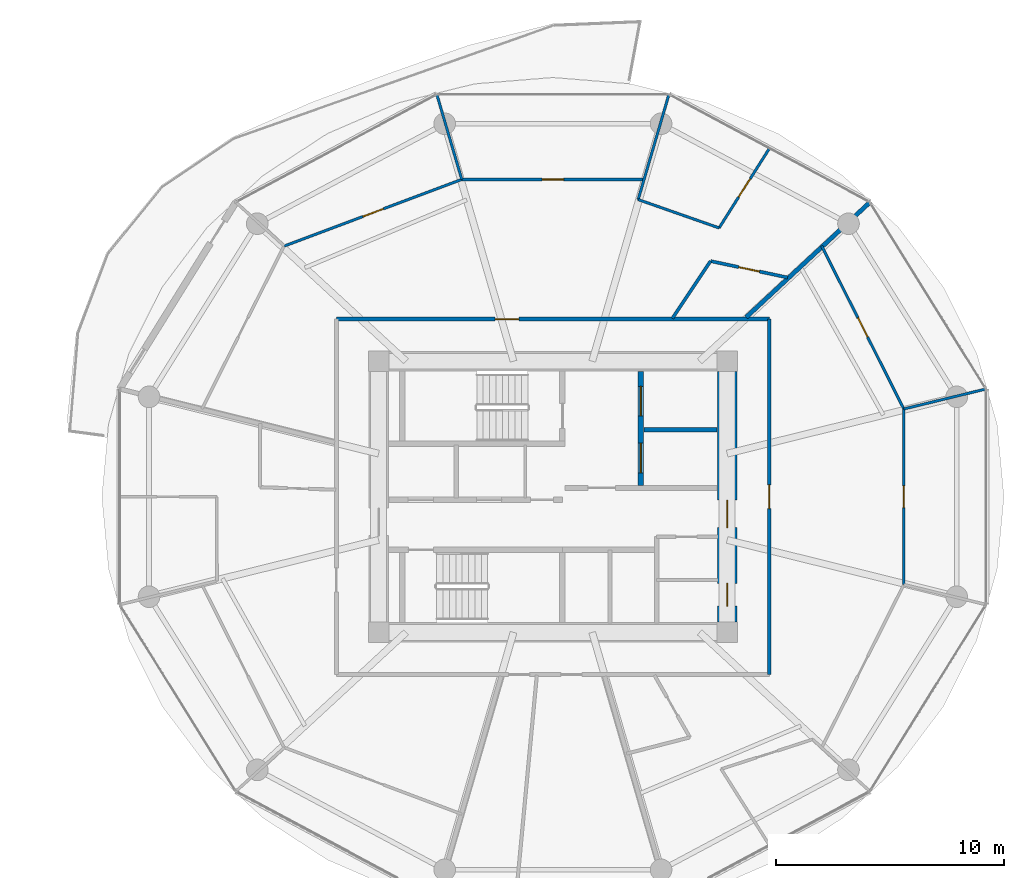
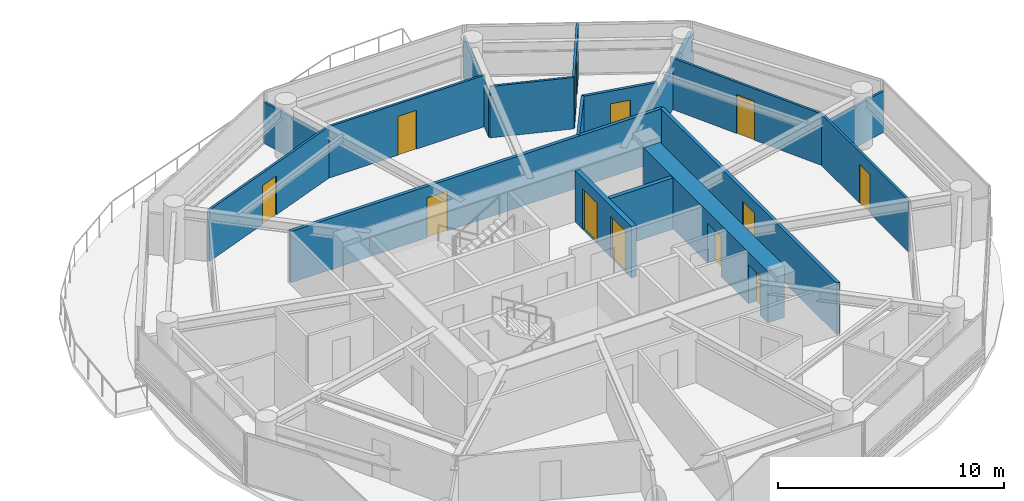
# One storey, part 20 of 27: 17 walls, 12 doors, 12 openings.
"""IFC4 building model written with IfcOpenShell, lengths in metres."""

from ifc_helpers import new_model, si_unit, direction, frame, frame_2d, origin, place, context, subcontext, project, spatial, rectangle, extrude, source, transform, mapped, material, layer, layer_set, type_object, type_shapes, element, fill, save


model = new_model("IFC4")

# Units and contexts
model_context = context("Model", 3, precision=1e-05, world=origin(), true_north=direction((0.0, 1.0)))
body_context = subcontext(model_context, "Body", "Model", "MODEL_VIEW")
ifc_project = project(units=[si_unit("LENGTHUNIT", "METRE"), si_unit("AREAUNIT", "SQUARE_METRE"), si_unit("VOLUMEUNIT", "CUBIC_METRE"), si_unit("PLANEANGLEUNIT", "RADIAN"), si_unit("MASSUNIT", "GRAM", prefix="KILO")], contexts=[model_context])

# Site, building, storey
site_placement = place(None, origin())
site = spatial("IfcSite", under=ifc_project, at=site_placement, CompositionType="ELEMENT")
building_placement = place(site_placement, origin())
building = spatial("IfcBuilding", under=site, at=building_placement, Name="Norrkilde Senior Care Towers", CompositionType="ELEMENT")
storey_placement = place(building_placement, frame((0.0, 0.0, 58.199951171875)))
storey = spatial("IfcBuildingStorey", under=building, at=storey_placement, Name="L17", CompositionType="ELEMENT", Elevation=58.199951171875)

# Wall, openings, doors
ifc_material_1 = material(Name="Concrete C60/75", Category="concrete")
ifc_layer_1 = layer(ifc_material_1, 0.85009765625)
ifc_layer_set_1 = layer_set([ifc_layer_1], Name="Concrete C60/75")
wall_type_1 = type_object("IfcWallType", Name="Core Shear Wall Z1 850", PredefinedType="SHEAR", material=ifc_layer_set_1)
shared_shape_1 = source(origin(), body_context, "Body", "SweptSolid", [
    extrude(rectangle(XDim=11.0, YDim=0.85009765625, at=frame_2d((5.5, 0.0))), origin(), (0.0, 0.0, 1.0), 2.7900390625),
])
type_shapes(wall_type_1, [shared_shape_1])
wall_1_placement = place(storey_placement, frame((35.64990234375, 5.5, 0.0), z_axis=(0.0, 0.0, 1.0), x_axis=(0.0, -1.0, 0.0)))
wall_1 = element("IfcWall", 1, at=wall_1_placement, inside=storey, type_object=wall_type_1, Name="L17 Core E East Shear Wall", PredefinedType="SHEAR", context=body_context, shape_type="MappedRepresentation", body=[
    mapped(shared_shape_1, transform((0.0, 0.0, 0.0), x_axis=(1.0, 0.0, 0.0), y_axis=(0.0, 1.0, 0.0), z_axis=(0.0, 0.0, 1.0), scale=1.0)),
])
opening_1_placement = place(wall_1_placement, frame((5.64990234375, 0.0, 0.0)))
opening_1 = element("IfcOpeningElement", 2, at=opening_1_placement, cuts=wall_1, Name="Opening D-04", PredefinedType="OPENING", context=body_context, shape_type="SweptSolid", body=[
    extrude(rectangle(XDim=1.199951171875, YDim=2.14990234375, at=frame_2d((0.60009765625, 1.074951171875))), frame((0.0, 0.43505859375, 0.0), z_axis=(0.0, -1.0, 0.0), x_axis=(1.0, 0.0, 0.0)), (0.0, 0.0, 1.0), 0.8701171875),
])
opening_2_placement = place(wall_1_placement, frame((9.300048828125, 0.0, 0.0)))
opening_2 = element("IfcOpeningElement", 3, at=opening_2_placement, cuts=wall_1, Name="Opening D-10", PredefinedType="OPENING", context=body_context, shape_type="SweptSolid", body=[
    extrude(rectangle(XDim=1.0, YDim=2.10009765625, at=frame_2d((0.5, 1.050048828125))), frame((0.0, 0.43505859375, 0.0), z_axis=(0.0, -1.0, 0.0), x_axis=(1.0, 0.0, 0.0)), (0.0, 0.0, 1.0), 0.8701171875),
])
ifc_material_2 = material(Name="Galvanised Painted Steel", Category="steel")
door_type_1 = type_object("IfcDoorType", Name="Firefighting Lobby Fire Door 1200x2150", OperationType="NOTDEFINED", PredefinedType="DOOR", material=ifc_material_2)
shared_shape_2 = source(origin(), body_context, "Body", "SweptSolid", [
    extrude(rectangle(XDim=1.199951171875, YDim=2.14990234375, at=frame_2d((0.60009765625, 1.074951171875))), frame((0.0, 0.02490234375, 0.0), z_axis=(0.0, -1.0, 0.0), x_axis=(1.0, 0.0, 0.0)), (0.0, 0.0, 1.0), 0.050048828125),
])
type_shapes(door_type_1, [shared_shape_2])
door_1_placement = place(opening_1_placement, frame((1.199951171875, 0.0, 0.0), z_axis=(0.0, 0.0, 1.0), x_axis=(-1.0, 0.0, 0.0)))
door_1 = element("IfcDoor", 4, at=door_1_placement, inside=storey, type_object=door_type_1, Name="L17 Core E East Portal Door", OperationType="SINGLE_SWING_RIGHT", OverallHeight=2.14990234375, OverallWidth=1.199951171875, PredefinedType="DOOR", context=body_context, shape_type="MappedRepresentation", body=[
    mapped(shared_shape_2, transform((0.0, 0.0, 0.0), x_axis=(1.0, 0.0, 0.0), y_axis=(0.0, 1.0, 0.0), z_axis=(0.0, 0.0, 1.0), scale=1.0)),
])
fill(opening_1, door_1)
door_type_2 = type_object("IfcDoorType", Name="Plant and Riser Rated Door 1000x2100", OperationType="NOTDEFINED", PredefinedType="DOOR", material=ifc_material_2)
shared_shape_3 = source(origin(), body_context, "Body", "SweptSolid", [
    extrude(rectangle(XDim=1.0, YDim=2.10009765625, at=frame_2d((0.5, 1.050048828125))), frame((0.0, 0.02490234375, 0.0), z_axis=(0.0, -1.0, 0.0), x_axis=(1.0, 0.0, 0.0)), (0.0, 0.0, 1.0), 0.050048828125),
])
type_shapes(door_type_2, [shared_shape_3])
door_2_placement = place(opening_2_placement, frame((1.0, 0.0, 0.0), z_axis=(0.0, 0.0, 1.0), x_axis=(-1.0, 0.0, 0.0)))
door_2 = element("IfcDoor", 5, at=door_2_placement, inside=storey, type_object=door_type_2, Name="L17 Ventilation Riser E Door", OperationType="SINGLE_SWING_RIGHT", OverallHeight=2.10009765625, OverallWidth=1.0, PredefinedType="DOOR", context=body_context, shape_type="MappedRepresentation", body=[
    mapped(shared_shape_3, transform((0.0, 0.0, 0.0), x_axis=(1.0, 0.0, 0.0), y_axis=(0.0, 1.0, 0.0), z_axis=(0.0, 0.0, 1.0), scale=1.0)),
])
fill(opening_2, door_2)

ifc_material_3 = material(Name="Concrete C45/55", Category="concrete")
ifc_layer_2 = layer(ifc_material_3, 0.239990234375)
ifc_layer_set_2 = layer_set([ifc_layer_2], Name="Concrete C45/55")
wall_type_2 = type_object("IfcWallType", Name="Lift and Plant Rated Enclosure Partition 240", PredefinedType="PARTITIONING", material=ifc_layer_set_2)
shared_shape_4 = source(origin(), body_context, "Body", "SweptSolid", [
    extrude(rectangle(XDim=5.0, YDim=0.239990234375, at=frame_2d((2.5, 0.0))), origin(), (0.0, 0.0, 1.0), 2.775146484375),
])
type_shapes(wall_type_2, [shared_shape_4])
wall_2_placement = place(storey_placement, frame((31.860107421875, 0.5, 0.0), z_axis=(0.0, 0.0, 1.0), x_axis=(0.0, 1.0, 0.0)))
wall_2 = element("IfcWall", 6, at=wall_2_placement, inside=storey, type_object=wall_type_2, Name="WL-INT-L17-E-FFLE", PredefinedType="PARTITIONING", context=body_context, shape_type="MappedRepresentation", body=[
    mapped(shared_shape_4, transform((0.0, 0.0, 0.0), x_axis=(1.0, 0.0, 0.0), y_axis=(0.0, 1.0, 0.0), z_axis=(0.0, 0.0, 1.0), scale=1.0)),
])
opening_3_placement = place(wall_2_placement, frame((3.050048828125, 0.0, 0.0)))
opening_3 = element("IfcOpeningElement", 7, at=opening_3_placement, cuts=wall_2, Name="Opening LD-02", PredefinedType="OPENING", context=body_context, shape_type="SweptSolid", body=[
    extrude(rectangle(XDim=1.300048828125, YDim=2.199951171875, at=frame_2d((0.64990234375, 1.10009765625))), frame((0.0, 0.1298828125, 0.0), z_axis=(0.0, -1.0, 0.0), x_axis=(1.0, 0.0, 0.0)), (0.0, 0.0, 1.0), 0.260009765625),
])
opening_4_placement = place(wall_2_placement, frame((0.550048828125, 0.0, 0.0)))
opening_4 = element("IfcOpeningElement", 8, at=opening_4_placement, cuts=wall_2, Name="Opening LD-02", PredefinedType="OPENING", context=body_context, shape_type="SweptSolid", body=[
    extrude(rectangle(XDim=1.300048828125, YDim=2.199951171875, at=frame_2d((0.64990234375, 1.10009765625))), frame((0.0, 0.1298828125, 0.0), z_axis=(0.0, -1.0, 0.0), x_axis=(1.0, 0.0, 0.0)), (0.0, 0.0, 1.0), 0.260009765625),
])
ifc_material_4 = material(Name="Stainless Steel", Category="steel")
door_type_3 = type_object("IfcDoorType", Name="Stretcher and FFL Landing Sliding Door 1300x2200", OperationType="NOTDEFINED", PredefinedType="DOOR", material=ifc_material_4)
shared_shape_5 = source(origin(), body_context, "Body", "SweptSolid", [
    extrude(rectangle(XDim=1.300048828125, YDim=2.199951171875, at=frame_2d((0.64990234375, 1.10009765625))), frame((0.0, 0.02490234375, 0.0), z_axis=(0.0, -1.0, 0.0), x_axis=(1.0, 0.0, 0.0)), (0.0, 0.0, 1.0), 0.050048828125),
])
type_shapes(door_type_3, [shared_shape_5])
door_3_placement = place(opening_3_placement, origin())
door_3 = element("IfcDoor", 9, at=door_3_placement, inside=storey, type_object=door_type_3, Name="L17 Firefighting Lift E1 Landing Door", OperationType="SLIDING_TO_LEFT", OverallHeight=2.199951171875, OverallWidth=1.300048828125, PredefinedType="DOOR", context=body_context, shape_type="MappedRepresentation", body=[
    mapped(shared_shape_5, transform((0.0, 0.0, 0.0), x_axis=(1.0, 0.0, 0.0), y_axis=(0.0, 1.0, 0.0), z_axis=(0.0, 0.0, 1.0), scale=1.0)),
])
fill(opening_3, door_3)
door_4_placement = place(opening_4_placement, origin())
door_4 = element("IfcDoor", 10, at=door_4_placement, inside=storey, type_object=door_type_3, Name="L17 Stretcher Lift E1 Landing Door", OperationType="SLIDING_TO_RIGHT", OverallHeight=2.199951171875, OverallWidth=1.300048828125, PredefinedType="DOOR", context=body_context, shape_type="MappedRepresentation", body=[
    mapped(shared_shape_5, transform((0.0, 0.0, 0.0), x_axis=(1.0, 0.0, 0.0), y_axis=(0.0, 1.0, 0.0), z_axis=(0.0, 0.0, 1.0), scale=1.0)),
])
fill(opening_4, door_4)

# Wall
ifc_layer_3 = layer(ifc_material_3, 0.199951171875)
ifc_layer_set_3 = layer_set([ifc_layer_3], Name="Concrete C45/55")
wall_type_3 = type_object("IfcWallType", Name="Shaft Division and Plant Partition 200", PredefinedType="PARTITIONING", material=ifc_layer_set_3)
shared_shape_6 = source(origin(), body_context, "Body", "SweptSolid", [
    extrude(rectangle(XDim=3.199951171875, YDim=0.199951171875, at=frame_2d((1.60009765625, 0.0))), origin(), (0.0, 0.0, 1.0), 2.775146484375),
])
type_shapes(wall_type_3, [shared_shape_6])
wall_3_placement = place(storey_placement, frame((32.0, 2.949951171875, 0.0), z_axis=(0.0, 0.0, 1.0), x_axis=(1.0, 0.0, 0.0)))
element("IfcWall", 11, at=wall_3_placement, inside=storey, type_object=wall_type_3, Name="WL-INT-L17-E-FFLDIV", PredefinedType="PARTITIONING", context=body_context, shape_type="MappedRepresentation", body=[
    mapped(shared_shape_6, transform((0.0, 0.0, 0.0), x_axis=(1.0, 0.0, 0.0), y_axis=(0.0, 1.0, 0.0), z_axis=(0.0, 0.0, 1.0), scale=1.0)),
])

# Wall, opening, door
ifc_material_5 = material(Name="Gypsum Acoustic Board")
ifc_layer_4 = layer(ifc_material_5, 0.1650390625)
ifc_layer_set_4 = layer_set([ifc_layer_4], Name="Gypsum Acoustic Board")
wall_type_4 = type_object("IfcWallType", Name="Corridor Rated Partition 165", PredefinedType="PARTITIONING", material=ifc_layer_set_4)
shared_shape_7 = source(origin(), body_context, "Body", "SweptSolid", [
    extrude(rectangle(XDim=19.0, YDim=0.1650390625, at=frame_2d((9.5, 0.0))), origin(), (0.0, 0.0, 1.0), 2.775146484375),
])
wall_4_placement = place(storey_placement, frame((18.5, 7.800048828125, 0.0), z_axis=(0.0, 0.0, 1.0), x_axis=(1.0, 0.0, 0.0)))
wall_4 = element("IfcWall", 12, at=wall_4_placement, inside=storey, type_object=wall_type_4, Name="WL-INT-L17-E-CRW-N-0", PredefinedType="PARTITIONING", context=body_context, shape_type="MappedRepresentation", body=[
    mapped(shared_shape_7, transform((0.0, 0.0, 0.0), x_axis=(1.0, 0.0, 0.0), y_axis=(0.0, 1.0, 0.0), z_axis=(0.0, 0.0, 1.0), scale=1.0)),
])
opening_5_placement = place(wall_4_placement, frame((6.961181640625, 0.0, 0.0)))
opening_5 = element("IfcOpeningElement", 13, at=opening_5_placement, cuts=wall_4, Name="Opening D-06", PredefinedType="OPENING", context=body_context, shape_type="SweptSolid", body=[
    extrude(rectangle(XDim=1.050048828125, YDim=2.14990234375, at=frame_2d((0.52490234375, 1.074951171875))), frame((0.0, 0.092529296875, 0.0), z_axis=(0.0, -1.0, 0.0), x_axis=(1.0, 0.0, 0.0)), (0.0, 0.0, 1.0), 0.18505859375),
])
ifc_material_6 = material(Name="Nordic Ash Timber", Category="wood")
door_type_4 = type_object("IfcDoorType", Name="Apartment Entrance Fire Door 1050x2150", OperationType="NOTDEFINED", PredefinedType="DOOR", material=ifc_material_6)
shared_shape_8 = source(origin(), body_context, "Body", "SweptSolid", [
    extrude(rectangle(XDim=1.050048828125, YDim=2.14990234375, at=frame_2d((0.52490234375, 1.074951171875))), frame((0.0, 0.02490234375, 0.0), z_axis=(0.0, -1.0, 0.0), x_axis=(1.0, 0.0, 0.0)), (0.0, 0.0, 1.0), 0.050048828125),
])
type_shapes(door_type_4, [shared_shape_8])
door_5_placement = place(opening_5_placement, frame((1.050048828125, 0.0, 0.0), z_axis=(0.0, 0.0, 1.0), x_axis=(-1.0, 0.0, 0.0)))
door_5 = element("IfcDoor", 14, at=door_5_placement, inside=storey, type_object=door_type_4, Name="Apartment 17D Entrance Door", OperationType="SINGLE_SWING_RIGHT", OverallHeight=2.14990234375, OverallWidth=1.050048828125, PredefinedType="DOOR", context=body_context, shape_type="MappedRepresentation", body=[
    mapped(shared_shape_8, transform((0.0, 0.0, 0.0), x_axis=(1.0, 0.0, 0.0), y_axis=(0.0, 1.0, 0.0), z_axis=(0.0, 0.0, 1.0), scale=1.0)),
])
fill(opening_5, door_5)

shared_shape_9 = source(origin(), body_context, "Body", "SweptSolid", [
    extrude(rectangle(XDim=15.60009765625, YDim=0.1650390625, at=frame_2d((7.800048828125, 0.0))), origin(), (0.0, 0.0, 1.0), 2.775146484375),
])
type_shapes(wall_type_4, [shared_shape_7, shared_shape_9])
wall_5_placement = place(storey_placement, frame((37.5, 7.800048828125, 0.0), z_axis=(0.0, 0.0, 1.0), x_axis=(0.0, -1.0, 0.0)))
wall_5 = element("IfcWall", 15, at=wall_5_placement, inside=storey, type_object=wall_type_4, Name="WL-INT-L17-E-CRW-E-0", PredefinedType="PARTITIONING", context=body_context, shape_type="MappedRepresentation", body=[
    mapped(shared_shape_9, transform((0.0, 0.0, 0.0), x_axis=(1.0, 0.0, 0.0), y_axis=(0.0, 1.0, 0.0), z_axis=(0.0, 0.0, 1.0), scale=1.0)),
])
opening_6_placement = place(wall_5_placement, frame((7.27490234375, 0.0, 0.0)))
opening_6 = element("IfcOpeningElement", 16, at=opening_6_placement, cuts=wall_5, Name="Opening D-06", PredefinedType="OPENING", context=body_context, shape_type="SweptSolid", body=[
    extrude(rectangle(XDim=1.050048828125, YDim=2.14990234375, at=frame_2d((0.52490234375, 1.074951171875))), frame((0.0, 0.092529296875, 0.0), z_axis=(0.0, -1.0, 0.0), x_axis=(1.0, 0.0, 0.0)), (0.0, 0.0, 1.0), 0.18505859375),
])
door_6_placement = place(opening_6_placement, frame((1.050048828125, 0.0, 0.0), z_axis=(0.0, 0.0, 1.0), x_axis=(-1.0, 0.0, 0.0)))
door_6 = element("IfcDoor", 17, at=door_6_placement, inside=storey, type_object=door_type_4, Name="Apartment 17C Entrance Door", OperationType="SINGLE_SWING_RIGHT", OverallHeight=2.14990234375, OverallWidth=1.050048828125, PredefinedType="DOOR", context=body_context, shape_type="MappedRepresentation", body=[
    mapped(shared_shape_8, transform((0.0, 0.0, 0.0), x_axis=(1.0, 0.0, 0.0), y_axis=(0.0, 1.0, 0.0), z_axis=(0.0, 0.0, 1.0), scale=1.0)),
])
fill(opening_6, door_6)

# Wall
ifc_layer_5 = layer(ifc_material_5, 0.18994140625)
ifc_layer_set_5 = layer_set([ifc_layer_5], Name="Gypsum Acoustic Board")
wall_type_5 = type_object("IfcWallType", Name="Unit Demising Acoustic Wall 190", PredefinedType="PARTITIONING", material=ifc_layer_set_5)
shared_shape_10 = source(origin(), body_context, "Body", "SweptSolid", [
    extrude(rectangle(XDim=7.4345703125, YDim=0.18994140625, at=frame_2d((3.71728515625, 0.0))), origin(), (0.0, 0.0, 1.0), 2.22509765625),
])
type_shapes(wall_type_5, [shared_shape_10])
wall_6_placement = place(storey_placement, frame((36.48291015625, 7.8798828125, 0.0), z_axis=(0.0, 0.0, 1.0), x_axis=(0.732651956848, 0.680603489652, 0.0)))
element("IfcWall", 18, at=wall_6_placement, inside=storey, type_object=wall_type_5, Name="WL-INT-L17-E-DEM-01-0", PredefinedType="PARTITIONING", context=body_context, shape_type="MappedRepresentation", body=[
    mapped(shared_shape_10, transform((0.0, 0.0, 0.0), x_axis=(1.0, 0.0, 0.0), y_axis=(0.0, 1.0, 0.0), z_axis=(0.0, 0.0, 1.0), scale=1.0)),
])

# Wall, opening, door
ifc_layer_6 = layer(ifc_material_5, 0.114990234375)
ifc_layer_set_6 = layer_set([ifc_layer_6], Name="Gypsum Acoustic Board")
wall_type_6 = type_object("IfcWallType", Name="Internal Room Partition 115", PredefinedType="PARTITIONING", material=ifc_layer_set_6)
shared_shape_11 = source(origin(), body_context, "Body", "SweptSolid", [
    extrude(rectangle(XDim=7.99267578125, YDim=0.114990234375, at=frame_2d((3.996337890625, 0.0))), origin(), (0.0, 0.0, 1.0), 2.775146484375),
])
wall_7_placement = place(storey_placement, frame((31.996337890625, 13.927001953125, 0.0), z_axis=(0.0, 0.0, 1.0), x_axis=(-1.0, 0.0, 0.0)))
wall_7 = element("IfcWall", 19, at=wall_7_placement, inside=storey, type_object=wall_type_6, Name="WL-INT-L17-E-UBC-01-1", PredefinedType="PARTITIONING", context=body_context, shape_type="MappedRepresentation", body=[
    mapped(shared_shape_11, transform((0.0, 0.0, 0.0), x_axis=(1.0, 0.0, 0.0), y_axis=(0.0, 1.0, 0.0), z_axis=(0.0, 0.0, 1.0), scale=1.0)),
])
opening_7_placement = place(wall_7_placement, frame((3.521484375, 0.0, 0.0)))
opening_7 = element("IfcOpeningElement", 20, at=opening_7_placement, cuts=wall_7, Name="Opening D-07", PredefinedType="OPENING", context=body_context, shape_type="SweptSolid", body=[
    extrude(rectangle(XDim=0.949951171875, YDim=2.10009765625, at=frame_2d((0.47509765625, 1.050048828125))), frame((0.0, 0.0673828125, 0.0), z_axis=(0.0, -1.0, 0.0), x_axis=(1.0, 0.0, 0.0)), (0.0, 0.0, 1.0), 0.135009765625),
])
door_type_5 = type_object("IfcDoorType", Name="Internal Suite Bedroom Door 950x2100", OperationType="NOTDEFINED", PredefinedType="DOOR", material=ifc_material_6)
shared_shape_12 = source(origin(), body_context, "Body", "SweptSolid", [
    extrude(rectangle(XDim=0.949951171875, YDim=2.10009765625, at=frame_2d((0.47509765625, 1.050048828125))), frame((0.0, 0.02490234375, 0.0), z_axis=(0.0, -1.0, 0.0), x_axis=(1.0, 0.0, 0.0)), (0.0, 0.0, 1.0), 0.050048828125),
])
type_shapes(door_type_5, [shared_shape_12])
door_7_placement = place(opening_7_placement, origin())
door_7 = element("IfcDoor", 21, at=door_7_placement, inside=storey, type_object=door_type_5, Name="Apartment 17D Bedroom 1 Door", OperationType="SINGLE_SWING_LEFT", OverallHeight=2.10009765625, OverallWidth=0.949951171875, PredefinedType="DOOR", context=body_context, shape_type="MappedRepresentation", body=[
    mapped(shared_shape_12, transform((0.0, 0.0, 0.0), x_axis=(1.0, 0.0, 0.0), y_axis=(0.0, 1.0, 0.0), z_axis=(0.0, 0.0, 1.0), scale=1.0)),
])
fill(opening_7, door_7)

# Walls
shared_shape_13 = source(origin(), body_context, "Body", "SweptSolid", [
    extrude(rectangle(XDim=4.8291015625, YDim=0.114990234375, at=frame_2d((2.41455078125, 0.0))), origin(), (0.0, 0.0, 1.0), 2.22509765625),
])
wall_8_placement = place(storey_placement, frame((31.742431640625, 13.041748046875, 0.0), z_axis=(0.0, 0.0, 1.0), x_axis=(0.280838556456, 0.959755023539, 0.0)))
element("IfcWall", 22, at=wall_8_placement, inside=storey, type_object=wall_type_6, Name="WL-INT-L17-E-UBR-01-1", PredefinedType="PARTITIONING", context=body_context, shape_type="MappedRepresentation", body=[
    mapped(shared_shape_13, transform((0.0, 0.0, 0.0), x_axis=(1.0, 0.0, 0.0), y_axis=(0.0, 1.0, 0.0), z_axis=(0.0, 0.0, 1.0), scale=1.0)),
])
ifc_layer_7 = layer(ifc_material_5, 0.139892578125)
ifc_layer_set_7 = layer_set([ifc_layer_7], Name="Gypsum Acoustic Board")
wall_type_7 = type_object("IfcWallType", Name="En-suite Wet Room Wall 140", PredefinedType="PARTITIONING", material=ifc_layer_set_7)
shared_shape_14 = source(origin(), body_context, "Body", "SweptSolid", [
    extrude(rectangle(XDim=3.025146484375, YDim=0.139892578125, at=frame_2d((1.5126953125, 0.0))), origin(), (0.0, 0.0, 1.0), 2.775146484375),
])
wall_9_placement = place(storey_placement, frame((33.23974609375, 7.830078125, 0.0), z_axis=(0.0, 0.0, 1.0), x_axis=(0.556189165904, 0.831055721195, 0.0)))
element("IfcWall", 23, at=wall_9_placement, inside=storey, type_object=wall_type_7, Name="WL-INT-L17-E-UBTS-01", PredefinedType="PARTITIONING", context=body_context, shape_type="MappedRepresentation", body=[
    mapped(shared_shape_14, transform((0.0, 0.0, 0.0), x_axis=(1.0, 0.0, 0.0), y_axis=(0.0, 1.0, 0.0), z_axis=(0.0, 0.0, 1.0), scale=1.0)),
])

# Wall, opening, door
shared_shape_15 = source(origin(), body_context, "Body", "SweptSolid", [
    extrude(rectangle(XDim=3.458984375, YDim=0.139892578125, at=frame_2d((1.7294921875, 0.0))), origin(), (0.0, 0.0, 1.0), 2.775146484375),
])
type_shapes(wall_type_7, [shared_shape_14, shared_shape_15])
wall_10_placement = place(storey_placement, frame((34.92236328125, 10.34423828125, 0.0), z_axis=(0.0, 0.0, 1.0), x_axis=(0.978006468578, -0.208574560815, 0.0)))
wall_10 = element("IfcWall", 24, at=wall_10_placement, inside=storey, type_object=wall_type_7, Name="WL-INT-L17-E-UBTF-01", PredefinedType="PARTITIONING", context=body_context, shape_type="MappedRepresentation", body=[
    mapped(shared_shape_15, transform((0.0, 0.0, 0.0), x_axis=(1.0, 0.0, 0.0), y_axis=(0.0, 1.0, 0.0), z_axis=(0.0, 0.0, 1.0), scale=1.0)),
])
opening_8_placement = place(wall_10_placement, frame((1.26953125, 0.0, 0.0)))
opening_8 = element("IfcOpeningElement", 25, at=opening_8_placement, cuts=wall_10, Name="Opening D-08", PredefinedType="OPENING", context=body_context, shape_type="SweptSolid", body=[
    extrude(rectangle(XDim=0.919921875, YDim=2.10009765625, at=frame_2d((0.4599609375, 1.050048828125))), frame((0.0, 0.079833984375, 0.0), z_axis=(0.0, -1.0, 0.0), x_axis=(1.0, 0.0, 0.0)), (0.0, 0.0, 1.0), 0.159912109375),
])
door_type_6 = type_object("IfcDoorType", Name="Accessible Wet Room Door 920x2100", OperationType="NOTDEFINED", PredefinedType="DOOR", material=ifc_material_6)
shared_shape_16 = source(origin(), body_context, "Body", "SweptSolid", [
    extrude(rectangle(XDim=0.919921875, YDim=2.10009765625, at=frame_2d((0.4599609375, 1.050048828125))), frame((0.0, 0.02490234375, 0.0), z_axis=(0.0, -1.0, 0.0), x_axis=(1.0, 0.0, 0.0)), (0.0, 0.0, 1.0), 0.050048828125),
])
type_shapes(door_type_6, [shared_shape_16])
door_8_placement = place(opening_8_placement, origin())
door_8 = element("IfcDoor", 26, at=door_8_placement, inside=storey, type_object=door_type_6, Name="Apartment 17D Bathroom Door", OperationType="SINGLE_SWING_LEFT", OverallHeight=2.10009765625, OverallWidth=0.919921875, PredefinedType="DOOR", context=body_context, shape_type="MappedRepresentation", body=[
    mapped(shared_shape_16, transform((0.0, 0.0, 0.0), x_axis=(1.0, 0.0, 0.0), y_axis=(0.0, 1.0, 0.0), z_axis=(0.0, 0.0, 1.0), scale=1.0)),
])
fill(opening_8, door_8)

shared_shape_17 = source(origin(), body_context, "Body", "SweptSolid", [
    extrude(rectangle(XDim=4.150390625, YDim=0.114990234375, at=frame_2d((2.0751953125, 0.0))), origin(), (0.0, 0.0, 1.0), 2.775146484375),
])
wall_11_placement = place(storey_placement, frame((35.296142578125, 11.800537109375, 0.0), z_axis=(0.0, 0.0, 1.0), x_axis=(0.534475378192, 0.845184045109, 0.0)))
wall_11 = element("IfcWall", 27, at=wall_11_placement, inside=storey, type_object=wall_type_6, Name="WL-INT-L17-E-UKTS-01", PredefinedType="PARTITIONING", context=body_context, shape_type="MappedRepresentation", body=[
    mapped(shared_shape_17, transform((0.0, 0.0, 0.0), x_axis=(1.0, 0.0, 0.0), y_axis=(0.0, 1.0, 0.0), z_axis=(0.0, 0.0, 1.0), scale=1.0)),
])
opening_9_placement = place(wall_11_placement, frame((1.60009765625, 0.0, 0.0)))
opening_9 = element("IfcOpeningElement", 28, at=opening_9_placement, cuts=wall_11, Name="Opening D-07", PredefinedType="OPENING", context=body_context, shape_type="SweptSolid", body=[
    extrude(rectangle(XDim=0.949951171875, YDim=2.10009765625, at=frame_2d((0.47509765625, 1.050048828125))), frame((0.0, 0.0673828125, 0.0), z_axis=(0.0, -1.0, 0.0), x_axis=(1.0, 0.0, 0.0)), (0.0, 0.0, 1.0), 0.135009765625),
])
door_9_placement = place(opening_9_placement, frame((0.949951171875, 0.0, 0.0), z_axis=(0.0, 0.0, 1.0), x_axis=(-1.0, 0.0, 0.0)))
door_9 = element("IfcDoor", 29, at=door_9_placement, inside=storey, type_object=door_type_5, Name="Apartment 17D Kitchen Door", OperationType="SINGLE_SWING_RIGHT", OverallHeight=2.10009765625, OverallWidth=0.949951171875, PredefinedType="DOOR", context=body_context, shape_type="MappedRepresentation", body=[
    mapped(shared_shape_12, transform((0.0, 0.0, 0.0), x_axis=(1.0, 0.0, 0.0), y_axis=(0.0, 1.0, 0.0), z_axis=(0.0, 0.0, 1.0), scale=1.0)),
])
fill(opening_9, door_9)

# Wall
shared_shape_18 = source(origin(), body_context, "Body", "SweptSolid", [
    extrude(rectangle(XDim=3.7646484375, YDim=0.114990234375, at=frame_2d((1.88232421875, 0.0))), origin(), (0.0, 0.0, 1.0), 2.775146484375),
])
wall_12_placement = place(storey_placement, frame((35.296142578125, 11.800537109375, 0.0), z_axis=(0.0, 0.0, 1.0), x_axis=(-0.943788572669, 0.330549739222, 0.0)))
element("IfcWall", 30, at=wall_12_placement, inside=storey, type_object=wall_type_6, Name="WL-INT-L17-E-UKTF-01", PredefinedType="PARTITIONING", context=body_context, shape_type="MappedRepresentation", body=[
    mapped(shared_shape_18, transform((0.0, 0.0, 0.0), x_axis=(1.0, 0.0, 0.0), y_axis=(0.0, 1.0, 0.0), z_axis=(0.0, 0.0, 1.0), scale=1.0)),
])

# Wall, opening, door
shared_shape_19 = source(origin(), body_context, "Body", "SweptSolid", [
    extrude(rectangle(XDim=8.017822265625, YDim=0.114990234375, at=frame_2d((4.0087890625, 0.0))), origin(), (0.0, 0.0, 1.0), 2.775146484375),
])
wall_13_placement = place(storey_placement, frame((43.404052734375, 3.854248046875, 0.0), z_axis=(0.0, 0.0, 1.0), x_axis=(-0.450134355233, 0.89296084026, 0.0)))
wall_13 = element("IfcWall", 31, at=wall_13_placement, inside=storey, type_object=wall_type_6, Name="WL-INT-L17-E-UBC-09-3", PredefinedType="PARTITIONING", context=body_context, shape_type="MappedRepresentation", body=[
    mapped(shared_shape_19, transform((0.0, 0.0, 0.0), x_axis=(1.0, 0.0, 0.0), y_axis=(0.0, 1.0, 0.0), z_axis=(0.0, 0.0, 1.0), scale=1.0)),
])
opening_10_placement = place(wall_13_placement, frame((3.533935546875, 0.0, 0.0)))
opening_10 = element("IfcOpeningElement", 32, at=opening_10_placement, cuts=wall_13, Name="Opening D-07", PredefinedType="OPENING", context=body_context, shape_type="SweptSolid", body=[
    extrude(rectangle(XDim=0.949951171875, YDim=2.10009765625, at=frame_2d((0.47509765625, 1.050048828125))), frame((0.0, 0.0673828125, 0.0), z_axis=(0.0, -1.0, 0.0), x_axis=(1.0, 0.0, 0.0)), (0.0, 0.0, 1.0), 0.135009765625),
])
door_10_placement = place(opening_10_placement, origin())
door_10 = element("IfcDoor", 33, at=door_10_placement, inside=storey, type_object=door_type_5, Name="Apartment 17C Bedroom 3 Door", OperationType="SINGLE_SWING_LEFT", OverallHeight=2.10009765625, OverallWidth=0.949951171875, PredefinedType="DOOR", context=body_context, shape_type="MappedRepresentation", body=[
    mapped(shared_shape_12, transform((0.0, 0.0, 0.0), x_axis=(1.0, 0.0, 0.0), y_axis=(0.0, 1.0, 0.0), z_axis=(0.0, 0.0, 1.0), scale=1.0)),
])
fill(opening_10, door_10)

shared_shape_20 = source(origin(), body_context, "Body", "SweptSolid", [
    extrude(rectangle(XDim=8.31982421875, YDim=0.114990234375, at=frame_2d((4.159912109375, 0.0))), origin(), (0.0, 0.0, 1.0), 2.775146484375),
])
wall_14_placement = place(storey_placement, frame((24.002685546875, 13.93017578125, 0.0), z_axis=(0.0, 0.0, 1.0), x_axis=(-0.936180763098, -0.351518959382, 0.0)))
wall_14 = element("IfcWall", 34, at=wall_14_placement, inside=storey, type_object=wall_type_6, Name="WL-INT-L17-E-UBC-01-2", PredefinedType="PARTITIONING", context=body_context, shape_type="MappedRepresentation", body=[
    mapped(shared_shape_20, transform((0.0, 0.0, 0.0), x_axis=(1.0, 0.0, 0.0), y_axis=(0.0, 1.0, 0.0), z_axis=(0.0, 0.0, 1.0), scale=1.0)),
])
opening_11_placement = place(wall_14_placement, frame((3.684814453125, 0.0, 0.0)))
opening_11 = element("IfcOpeningElement", 35, at=opening_11_placement, cuts=wall_14, Name="Opening D-07", PredefinedType="OPENING", context=body_context, shape_type="SweptSolid", body=[
    extrude(rectangle(XDim=0.949951171875, YDim=2.10009765625, at=frame_2d((0.47509765625, 1.050048828125))), frame((0.0, 0.0673828125, 0.0), z_axis=(0.0, -1.0, 0.0), x_axis=(1.0, 0.0, 0.0)), (0.0, 0.0, 1.0), 0.135009765625),
])
door_11_placement = place(opening_11_placement, frame((0.949951171875, 0.0, 0.0), z_axis=(0.0, 0.0, 1.0), x_axis=(-1.0, 0.0, 0.0)))
door_11 = element("IfcDoor", 36, at=door_11_placement, inside=storey, type_object=door_type_5, Name="Apartment 17D Bedroom 2 Door", OperationType="SINGLE_SWING_RIGHT", OverallHeight=2.10009765625, OverallWidth=0.949951171875, PredefinedType="DOOR", context=body_context, shape_type="MappedRepresentation", body=[
    mapped(shared_shape_12, transform((0.0, 0.0, 0.0), x_axis=(1.0, 0.0, 0.0), y_axis=(0.0, 1.0, 0.0), z_axis=(0.0, 0.0, 1.0), scale=1.0)),
])
fill(opening_11, door_11)

# Walls
shared_shape_21 = source(origin(), body_context, "Body", "SweptSolid", [
    extrude(rectangle(XDim=3.90478515625, YDim=0.114990234375, at=frame_2d((1.952392578125, 0.0))), origin(), (0.0, 0.0, 1.0), 2.22509765625),
])
wall_15_placement = place(storey_placement, frame((24.002685546875, 13.93017578125, 0.0), z_axis=(0.0, 0.0, 1.0), x_axis=(-0.282037692958, 0.959403324859, 0.0)))
element("IfcWall", 37, at=wall_15_placement, inside=storey, type_object=wall_type_6, Name="WL-INT-L17-E-UBR-01-2", PredefinedType="PARTITIONING", context=body_context, shape_type="MappedRepresentation", body=[
    mapped(shared_shape_21, transform((0.0, 0.0, 0.0), x_axis=(1.0, 0.0, 0.0), y_axis=(0.0, 1.0, 0.0), z_axis=(0.0, 0.0, 1.0), scale=1.0)),
])
shared_shape_22 = source(origin(), body_context, "Body", "SweptSolid", [
    extrude(rectangle(XDim=3.73046875, YDim=0.114990234375, at=frame_2d((1.865234375, 0.0))), origin(), (0.0, 0.0, 1.0), 2.22509765625),
])
wall_16_placement = place(storey_placement, frame((43.404052734375, 3.854248046875, 0.0), z_axis=(0.0, 0.0, 1.0), x_axis=(0.971644038568, 0.236448434791, 0.0)))
element("IfcWall", 38, at=wall_16_placement, inside=storey, type_object=wall_type_6, Name="WL-INT-L17-E-UBR-09-3", PredefinedType="PARTITIONING", context=body_context, shape_type="MappedRepresentation", body=[
    mapped(shared_shape_22, transform((0.0, 0.0, 0.0), x_axis=(1.0, 0.0, 0.0), y_axis=(0.0, 1.0, 0.0), z_axis=(0.0, 0.0, 1.0), scale=1.0)),
])

# Wall, opening, door
shared_shape_23 = source(origin(), body_context, "Body", "SweptSolid", [
    extrude(rectangle(XDim=7.70947265625, YDim=0.114990234375, at=frame_2d((3.854736328125, 0.0))), origin(), (0.0, 0.0, 1.0), 2.775146484375),
])
type_shapes(wall_type_6, [shared_shape_11, shared_shape_13, shared_shape_17, shared_shape_18, shared_shape_19, shared_shape_20, shared_shape_21, shared_shape_22, shared_shape_23])
wall_17_placement = place(storey_placement, frame((43.40625, -3.854736328125, 0.0), z_axis=(0.0, 0.0, 1.0), x_axis=(0.0, 1.0, 0.0)))
wall_17 = element("IfcWall", 39, at=wall_17_placement, inside=storey, type_object=wall_type_6, Name="WL-INT-L17-E-UBC-09-2", PredefinedType="PARTITIONING", context=body_context, shape_type="MappedRepresentation", body=[
    mapped(shared_shape_23, transform((0.0, 0.0, 0.0), x_axis=(1.0, 0.0, 0.0), y_axis=(0.0, 1.0, 0.0), z_axis=(0.0, 0.0, 1.0), scale=1.0)),
])
opening_12_placement = place(wall_17_placement, frame((3.379638671875, 0.0, 0.0)))
opening_12 = element("IfcOpeningElement", 40, at=opening_12_placement, cuts=wall_17, Name="Opening D-07", PredefinedType="OPENING", context=body_context, shape_type="SweptSolid", body=[
    extrude(rectangle(XDim=0.949951171875, YDim=2.10009765625, at=frame_2d((0.47509765625, 1.050048828125))), frame((0.0, 0.0673828125, 0.0), z_axis=(0.0, -1.0, 0.0), x_axis=(1.0, 0.0, 0.0)), (0.0, 0.0, 1.0), 0.135009765625),
])
door_12_placement = place(opening_12_placement, frame((0.949951171875, 0.0, 0.0), z_axis=(0.0, 0.0, 1.0), x_axis=(-1.0, 0.0, 0.0)))
door_12 = element("IfcDoor", 41, at=door_12_placement, inside=storey, type_object=door_type_5, Name="Apartment 17C Bedroom 2 Door", OperationType="SINGLE_SWING_RIGHT", OverallHeight=2.10009765625, OverallWidth=0.949951171875, PredefinedType="DOOR", context=body_context, shape_type="MappedRepresentation", body=[
    mapped(shared_shape_12, transform((0.0, 0.0, 0.0), x_axis=(1.0, 0.0, 0.0), y_axis=(0.0, 1.0, 0.0), z_axis=(0.0, 0.0, 1.0), scale=1.0)),
])
fill(opening_12, door_12)

save(model, "model.ifc")
